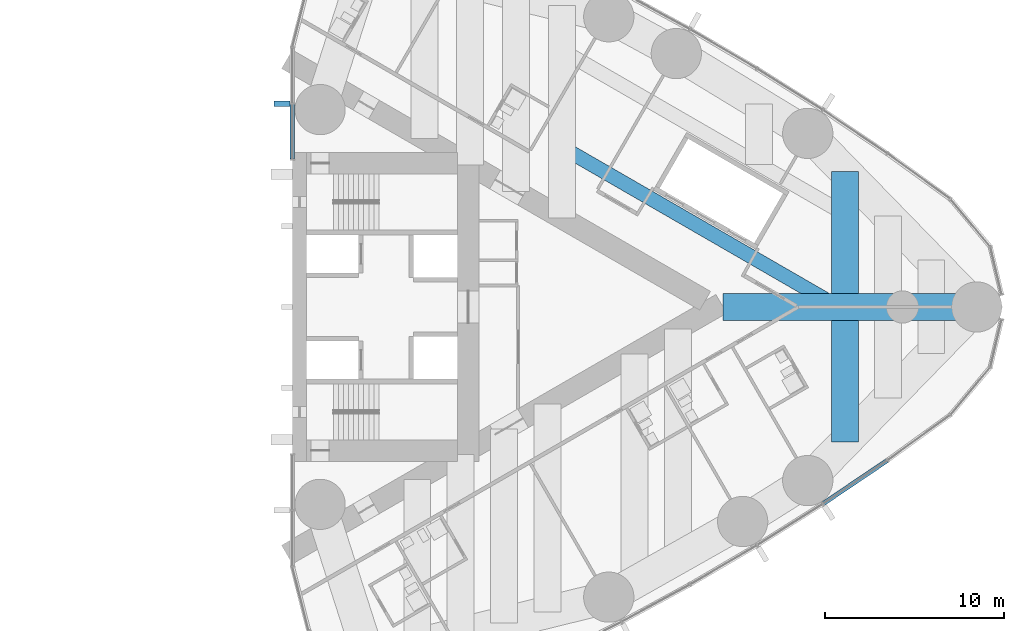
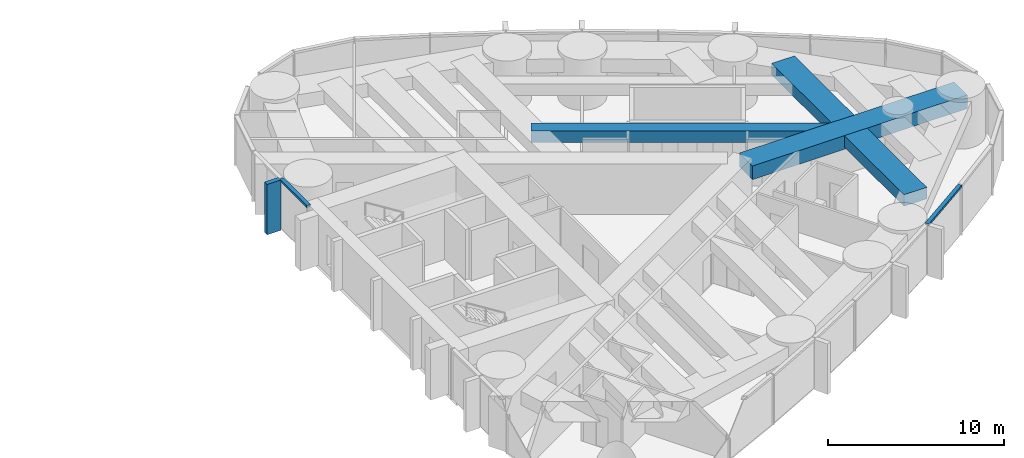
# One storey, part 7 of 19: 4 beams, 3 members, 2 elements without a shape of their own.
"""IFC4 building model written with IfcOpenShell, lengths in metres."""

from ifc_helpers import new_model, si_unit, direction, frame, origin, origin_2d, place, context, subcontext, project, spatial, rectangle, hollow_rectangle, extrude, material, material_profile, profile_set, type_object, element, aggregate, save


model = new_model("IFC4")

# Units and contexts
model_context = context("Model", 3, precision=1e-05, world=origin(), true_north=direction((0.0, 1.0)))
body_context = subcontext(model_context, "Body", "Model", "MODEL_VIEW")
ifc_project = project(units=[si_unit("LENGTHUNIT", "METRE"), si_unit("AREAUNIT", "SQUARE_METRE"), si_unit("VOLUMEUNIT", "CUBIC_METRE"), si_unit("PLANEANGLEUNIT", "RADIAN"), si_unit("MASSUNIT", "GRAM", prefix="KILO")], contexts=[model_context])

# Site, building, storey
site_placement = place(None, origin())
site = spatial("IfcSite", under=ifc_project, at=site_placement, CompositionType="ELEMENT")
building_placement = place(site_placement, origin())
building = spatial("IfcBuilding", under=site, at=building_placement, Name="Lancet Gate Hotel", CompositionType="ELEMENT")
storey_placement = place(building_placement, frame((0.0, 0.0, 177.300048828125)))
storey = spatial("IfcBuildingStorey", under=building, at=storey_placement, Name="L47", CompositionType="ELEMENT", Elevation=177.300048828125)

# Curtain wall, member
ifc_material_1 = material(Name="Aluminium curtain wall", Category="aluminium")
curtain_wall_type = type_object("IfcCurtainWallType", Name="Tower unitised curtain wall", PredefinedType="USERDEFINED", material=ifc_material_1)
curtain_wall_1_placement = place(storey_placement, origin())
curtain_wall_1 = element("IfcCurtainWall", 1, at=curtain_wall_1_placement, inside=storey, type_object=curtain_wall_type, Name="T2 L47 curtain wall 2", ObjectType="UNITISED CURTAIN WALL", PredefinedType="USERDEFINED")
ifc_material_2 = material(Name="Aluminium transom", Category="aluminium")
ifc_material_profile_1 = material_profile(ifc_material_2, rectangle(XDim=0.25, YDim=0.14990234375, at=origin_2d()), Name="TRANSOM 250x150")
ifc_profile_set_1 = profile_set([ifc_material_profile_1], Name="Aluminium transom")
member_type_1 = type_object("IfcMemberType", Name="Aluminium transom 250x150", PredefinedType="USERDEFINED", material=ifc_profile_set_1)
member_1_placement = place(storey_placement, frame((57.093994140625, -10.952880859375, 3.425048828125), z_axis=(0.829046850689, 0.559179147826, 0.0), x_axis=(-0.559179147826, 0.829046850689, 0.0)))
member_1 = element("IfcMember", 2, at=member_1_placement, type_object=member_type_1, Name="T2 L47 curtain wall 2 transom 8", ObjectType="TRANSOM", PredefinedType="USERDEFINED", context=body_context, shape_type="SweptSolid", body=[
    extrude(rectangle(XDim=0.25, YDim=0.14990234375, at=origin_2d()), origin(), (0.0, 0.0, 1.0), 4.26904296875),
])
aggregate(curtain_wall_1, [member_1])

# Curtain wall, members
curtain_wall_2_placement = place(storey_placement, origin())
curtain_wall_2 = element("IfcCurtainWall", 3, at=curtain_wall_2_placement, inside=storey, type_object=curtain_wall_type, Name="T2 L47 curtain wall 4", ObjectType="UNITISED CURTAIN WALL", PredefinedType="USERDEFINED")
member_2_placement = place(storey_placement, frame((27.5, 11.30029296875, 3.425048828125), z_axis=(0.0, -1.0, 0.0), x_axis=(1.0, 0.0, 0.0)))
member_2 = element("IfcMember", 4, at=member_2_placement, type_object=member_type_1, Name="T2 L47 curtain wall 4 transom 4", ObjectType="TRANSOM", PredefinedType="USERDEFINED", context=body_context, shape_type="SweptSolid", body=[
    extrude(rectangle(XDim=0.25, YDim=0.14990234375, at=origin_2d()), origin(), (0.0, 0.0, 1.0), 3.06787109375),
])
ifc_material_3 = material(Name="Precast concrete C50/60", Category="concrete")
ifc_material_profile_2 = material_profile(ifc_material_3, rectangle(XDim=0.300048828125, YDim=0.89990234375, at=origin_2d()), Name="FIN 300x900")
ifc_profile_set_2 = profile_set([ifc_material_profile_2], Name="Precast concrete C50/60")
member_type_2 = type_object("IfcMemberType", Name="Exposed concrete fin 300x900", PredefinedType="USERDEFINED", material=ifc_profile_set_2)
member_3_placement = place(storey_placement, frame((26.925048828125, 11.332763671875, 0.0), z_axis=(0.0, 0.0, 1.0), x_axis=(0.0, -1.0, 0.0)))
member_3 = element("IfcMember", 5, at=member_3_placement, type_object=member_type_2, Name="T2 L47 curtain wall 4 fin 4", ObjectType="FIN", PredefinedType="USERDEFINED", context=body_context, shape_type="SweptSolid", body=[
    extrude(rectangle(XDim=0.300048828125, YDim=0.89990234375, at=origin_2d()), origin(), (0.0, 0.0, 1.0), 3.5),
])
aggregate(curtain_wall_2, [member_3, member_2])

# Beams
ifc_material_4 = material(Name="Concrete C50/60", Category="concrete")
ifc_material_profile_3 = material_profile(ifc_material_4, rectangle(XDim=1.5, YDim=0.800048828125, at=origin_2d()), Name="RC 1500x800")
ifc_profile_set_3 = profile_set([ifc_material_profile_3], Name="Concrete C50/60")
beam_type_1 = type_object("IfcBeamType", Name="Floor beam RC 1500x800", PredefinedType="BEAM", material=ifc_profile_set_3)
for number, where, z_axis, x_axis, name in (
    (6, (58.30224609375, -7.534912109375, 2.849853515625), (0.0, 1.0, 0.0), (-1.0, 0.0, 0.0), "T2 floor beam F12S L47"),
    (7, (58.30224609375, 0.75, 2.849853515625), (0.0, 1.0, 0.0), (-1.0, 0.0, 0.0), "T2 floor beam F13N L47"),
):
    element("IfcBeam", number, at=place(storey_placement, frame(where, z_axis=z_axis, x_axis=x_axis)), inside=storey, type_object=beam_type_1, Name=name, PredefinedType="BEAM", context=body_context, shape_type="SweptSolid", body=[
        extrude(rectangle(XDim=1.5, YDim=0.800048828125, at=origin_2d()), origin(), (0.0, 0.0, 1.0), 6.784912109375),
    ])
ifc_material_5 = material(Name="Concrete C50/60", Category="concrete")
ifc_material_profile_4 = material_profile(ifc_material_5, rectangle(XDim=1.5, YDim=0.949951171875, at=origin_2d()), Name="RC 1500x950")
ifc_profile_set_4 = profile_set([ifc_material_profile_4], Name="Concrete C50/60")
beam_type_2 = type_object("IfcBeamType", Name="Radial floor beam RC 1500x950", PredefinedType="BEAM", material=ifc_profile_set_4)
beam_1_placement = place(storey_placement, frame((65.6396484375, 0.0, 2.77490234375), z_axis=(-1.0, 0.0, 0.0), x_axis=(0.0, -1.0, 0.0)))
element("IfcBeam", 8, at=beam_1_placement, inside=storey, type_object=beam_type_2, Name="T2 radial beam CA L47", PredefinedType="BEAM", context=body_context, shape_type="SweptSolid", body=[
    extrude(rectangle(XDim=1.5, YDim=0.949951171875, at=origin_2d()), origin(), (0.0, 0.0, 1.0), 14.137451171875),
])
ifc_material_6 = material(Name="Steel S460QL", Category="steel")
ifc_material_profile_5 = material_profile(ifc_material_6, hollow_rectangle(XDim=0.800048828125, YDim=0.800048828125, WallThickness=0.080078125, at=origin_2d()), Name="BOX 800x800x80")
ifc_profile_set_5 = profile_set([ifc_material_profile_5], Name="Steel S460QL")
beam_type_3 = type_object("IfcBeamType", Name="Trimmer beam BOX 800x800x80", PredefinedType="BEAM", material=ifc_profile_set_5)
beam_2_placement = place(storey_placement, frame((42.51904296875, 8.90185546875, 2.849853515625), z_axis=(0.865994419471, -0.500053662566, 0.0), x_axis=(0.500053662566, 0.865994419471, 0.0)))
element("IfcBeam", 9, at=beam_2_placement, inside=storey, type_object=beam_type_3, Name="T2 trimmer beam TR02N L47", PredefinedType="BEAM", context=body_context, shape_type="SweptSolid", body=[
    extrude(hollow_rectangle(XDim=0.800048828125, YDim=0.800048828125, WallThickness=0.080078125, at=origin_2d()), origin(), (0.0, 0.0, 1.0), 17.8017578125),
])

save(model, "model.ifc")
